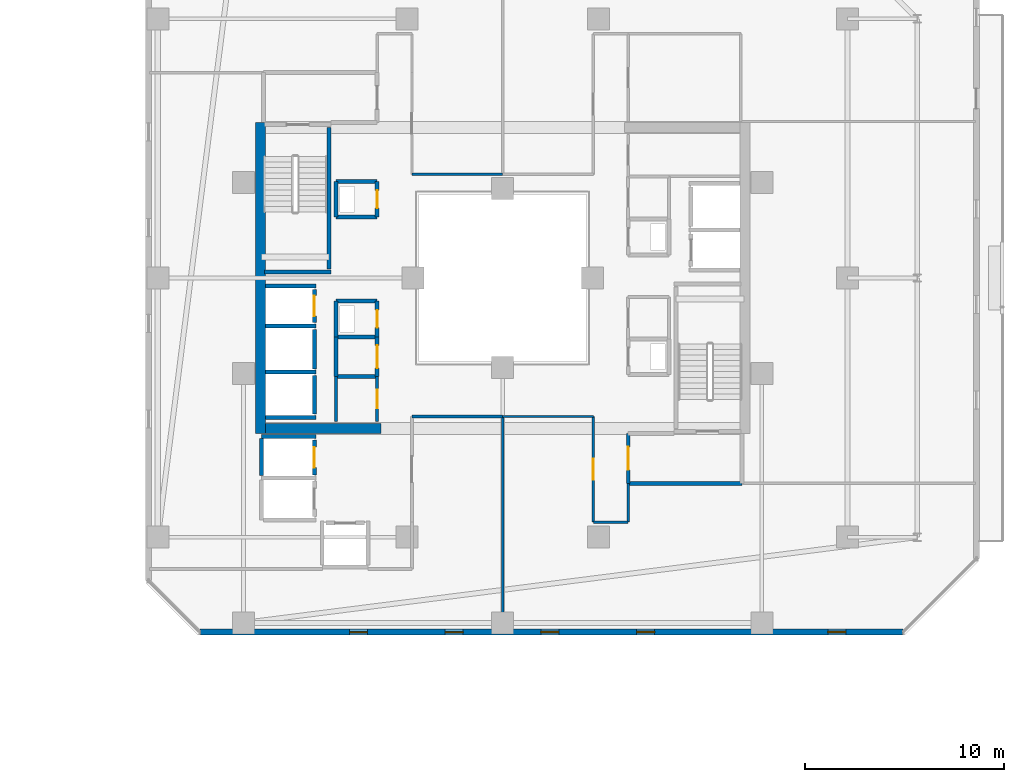
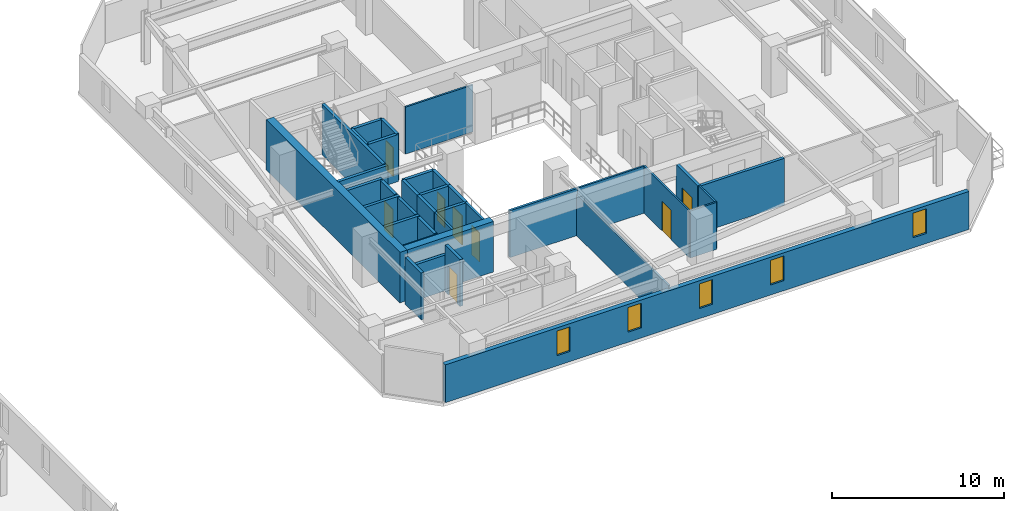
# One storey, part 23 of 32: 37 walls, 8 doors, 5 windows, 13 openings.
"""IFC4 building model written with IfcOpenShell, lengths in metres."""

from ifc_helpers import new_model, si_unit, direction, frame, frame_2d, origin, place, context, subcontext, project, spatial, rectangle, extrude, material, layer, layer_set, type_object, element, fill, save


model = new_model("IFC4")

# Units and contexts
model_context = context("Model", 3, precision=1e-05, world=origin(), true_north=direction((0.0, 1.0)))
body_context = subcontext(model_context, "Body", "Model", "MODEL_VIEW")
ifc_project = project(units=[si_unit("LENGTHUNIT", "METRE"), si_unit("AREAUNIT", "SQUARE_METRE"), si_unit("VOLUMEUNIT", "CUBIC_METRE"), si_unit("PLANEANGLEUNIT", "RADIAN"), si_unit("MASSUNIT", "GRAM", prefix="KILO")], contexts=[model_context])

# Site, building, storey
site_placement = place(None, origin())
site = spatial("IfcSite", under=ifc_project, at=site_placement, CompositionType="ELEMENT")
building_placement = place(site_placement, origin())
building = spatial("IfcBuilding", under=site, at=building_placement, Name="Thornwick Lancets Civic Towers", CompositionType="ELEMENT")
storey_placement = place(building_placement, frame((0.0, 0.0, 156.300048828125)))
storey = spatial("IfcBuildingStorey", under=building, at=storey_placement, Name="L41", CompositionType="ELEMENT", Elevation=156.300048828125)

# Wall, opening, door
ifc_material_1 = material(Name="Concrete blockwork C40/50", Category="masonry")
ifc_layer_1 = layer(ifc_material_1, 0.199951171875, Name="Concrete blockwork C40/50")
ifc_layer_set_1 = layer_set([ifc_layer_1], Name="Concrete blockwork C40/50")
wall_type_1 = type_object("IfcWallType", Name="WALL_COMP_200", PredefinedType="STANDARD", material=ifc_layer_set_1)
wall_1_placement = place(storey_placement, frame((79.050048828125, 24.780029296875, 0.0), z_axis=(0.0, 0.0, 1.0), x_axis=(0.0, 1.0, 0.0)))
wall_1 = element("IfcWall", 1, at=wall_1_placement, inside=storey, type_object=wall_type_1, Name="L41 Hoistway Front Wall FL-B2", PredefinedType="STANDARD", context=body_context, shape_type="SweptSolid", body=[
    extrude(rectangle(XDim=1.639892578125, YDim=0.199951171875, at=frame_2d((0.81982421875, 0.0))), origin(), (0.0, 0.0, 1.0), 3.33984375),
])
opening_1_placement = place(wall_1_placement, frame((0.31005859375, 0.0, 0.0)))
opening_1 = element("IfcOpeningElement", 2, at=opening_1_placement, cuts=wall_1, Name="Opening LD-FL-B2", PredefinedType="OPENING", context=body_context, shape_type="SweptSolid", body=[
    extrude(rectangle(XDim=1.02001953125, YDim=2.06005859375, at=frame_2d((0.510009765625, 1.030029296875))), frame((0.0, 0.10986328125, 0.0), z_axis=(0.0, -1.0, 0.0), x_axis=(1.0, 0.0, 0.0)), (0.0, 0.0, 1.0), 0.219970703125),
])
ifc_material_2 = material(Name="Brushed bronze stainless steel", Category="steel")
door_type_1 = type_object("IfcDoorType", Name="DOOR_LIFT_SLIDE", OperationType="SLIDING_TO_LEFT", PredefinedType="DOOR", material=ifc_material_2)
door_1_placement = place(opening_1_placement, origin())
door_1 = element("IfcDoor", 3, at=door_1_placement, inside=storey, type_object=door_type_1, Name="L41 Sliding Lift Landing Door LD-FL-B2", OperationType="SLIDING_TO_LEFT", OverallHeight=2.06005859375, OverallWidth=1.02001953125, PredefinedType="DOOR", context=body_context, shape_type="SweptSolid", body=[
    extrude(rectangle(XDim=1.02001953125, YDim=2.06005859375, at=frame_2d((0.510009765625, 1.030029296875))), frame((0.0, 0.02490234375, 0.0), z_axis=(0.0, -1.0, 0.0), x_axis=(1.0, 0.0, 0.0)), (0.0, 0.0, 1.0), 0.050048828125),
])
fill(opening_1, door_1)

# Walls
wall_2_placement = place(storey_placement, frame((79.050048828125, 22.429931640625, 0.0), z_axis=(0.0, 0.0, 1.0), x_axis=(0.0, 1.0, 0.0)))
element("IfcWall", 4, at=wall_2_placement, inside=storey, type_object=wall_type_1, Name="L41 Hoistway Front Wall PL-BH2", PredefinedType="STANDARD", context=body_context, shape_type="SweptSolid", body=[
    extrude(rectangle(XDim=1.989990234375, YDim=0.199951171875, at=frame_2d((0.9951171875, 0.0))), origin(), (0.0, 0.0, 1.0), 3.33984375),
])
wall_3_placement = place(storey_placement, frame((79.050048828125, 20.179931640625, 0.0), z_axis=(0.0, 0.0, 1.0), x_axis=(0.0, 1.0, 0.0)))
element("IfcWall", 5, at=wall_3_placement, inside=storey, type_object=wall_type_1, Name="L41 Hoistway Front Wall PL-BH3", PredefinedType="STANDARD", context=body_context, shape_type="SweptSolid", body=[
    extrude(rectangle(XDim=1.940185546875, YDim=0.199951171875, at=frame_2d((0.97021484375, 0.0))), origin(), (0.0, 0.0, 1.0), 3.33984375),
])

# Wall, opening, door
wall_4_placement = place(storey_placement, frame((79.050048828125, 17.1298828125, 0.0), z_axis=(0.0, 0.0, 1.0), x_axis=(0.0, 1.0, 0.0)))
wall_4 = element("IfcWall", 6, at=wall_4_placement, inside=storey, type_object=wall_type_1, Name="L41 Hoistway Front Wall PL-BM1", PredefinedType="STANDARD", context=body_context, shape_type="SweptSolid", body=[
    extrude(rectangle(XDim=1.740234375, YDim=0.199951171875, at=frame_2d((0.8701171875, 0.0))), origin(), (0.0, 0.0, 1.0), 3.33984375),
])
opening_2_placement = place(wall_4_placement, frame((0.360107421875, 0.0, 0.0)))
opening_2 = element("IfcOpeningElement", 7, at=opening_2_placement, cuts=wall_4, Name="Opening LD-PL-BM1", PredefinedType="OPENING", context=body_context, shape_type="SweptSolid", body=[
    extrude(rectangle(XDim=1.02001953125, YDim=2.06005859375, at=frame_2d((0.510009765625, 1.030029296875))), frame((0.0, 0.10986328125, 0.0), z_axis=(0.0, -1.0, 0.0), x_axis=(1.0, 0.0, 0.0)), (0.0, 0.0, 1.0), 0.219970703125),
])
door_2_placement = place(opening_2_placement, origin())
door_2 = element("IfcDoor", 8, at=door_2_placement, inside=storey, type_object=door_type_1, Name="L41 Sliding Lift Landing Door LD-PL-BM1", OperationType="SLIDING_TO_LEFT", OverallHeight=2.06005859375, OverallWidth=1.02001953125, PredefinedType="DOOR", context=body_context, shape_type="SweptSolid", body=[
    extrude(rectangle(XDim=1.02001953125, YDim=2.06005859375, at=frame_2d((0.510009765625, 1.030029296875))), frame((0.0, 0.02490234375, 0.0), z_axis=(0.0, -1.0, 0.0), x_axis=(1.0, 0.0, 0.0)), (0.0, 0.0, 1.0), 0.050048828125),
])
fill(opening_2, door_2)

# Walls
for number, where, z_axis, x_axis, name in (
    (9, (76.612060546875, 26.60009765625, 0.0), (0.0, 0.0, 1.0), (1.0, 0.0, 0.0), "L41 Hoistway Shaft Wall FL-B2 N"),
    (10, (76.612060546875, 24.60009765625, 0.0), (0.0, 0.0, 1.0), (1.0, 0.0, 0.0), "L41 Hoistway Shaft Wall FL-B2 S"),
    (11, (76.612060546875, 22.27490234375, 0.0), (0.0, 0.0, 1.0), (1.0, 0.0, 0.0), "L41 Hoistway Shaft Wall PL-BH2 S"),
    (12, (76.612060546875, 20.0, 0.0), (0.0, 0.0, 1.0), (1.0, 0.0, 0.0), "L41 Hoistway Shaft Wall PL-BH3 S"),
):
    element("IfcWall", number, at=place(storey_placement, frame(where, z_axis=z_axis, x_axis=x_axis)), inside=storey, type_object=wall_type_1, Name=name, PredefinedType="STANDARD", context=body_context, shape_type="SweptSolid", body=[
        extrude(rectangle(XDim=2.535888671875, YDim=0.199951171875, at=frame_2d((1.26806640625, 0.0))), origin(), (0.0, 0.0, 1.0), 3.33984375),
    ])
wall_5_placement = place(storey_placement, frame((76.402099609375, 19.050048828125, 0.0), z_axis=(0.0, 0.0, 1.0), x_axis=(1.0, 0.0, 0.0)))
element("IfcWall", 13, at=wall_5_placement, inside=storey, type_object=wall_type_1, Name="L41 Hoistway Shaft Wall PL-BM1 N", PredefinedType="STANDARD", context=body_context, shape_type="SweptSolid", body=[
    extrude(rectangle(XDim=2.745849609375, YDim=0.199951171875, at=frame_2d((1.373046875, 0.0))), origin(), (0.0, 0.0, 1.0), 2.544921875),
])
wall_6_placement = place(storey_placement, frame((76.39990234375, 17.08203125, 0.0), z_axis=(0.0, 0.0, 1.0), x_axis=(0.0, 1.0, 0.0)))
element("IfcWall", 14, at=wall_6_placement, inside=storey, type_object=wall_type_1, Name="L41 Hoistway Shaft Wall PL-BM1 W", PredefinedType="STANDARD", context=body_context, shape_type="SweptSolid", body=[
    extrude(rectangle(XDim=1.85595703125, YDim=0.199951171875, at=frame_2d((0.927978515625, 0.0))), origin(), (0.0, 0.0, 1.0), 3.33984375),
])
wall_7_placement = place(storey_placement, frame((94.800048828125, 16.699951171875, 0.0), z_axis=(0.0, 0.0, 1.0), x_axis=(1.0, 0.0, 0.0)))
element("IfcWall", 15, at=wall_7_placement, inside=storey, type_object=wall_type_1, Name="L41 Partition L41-B-FFLOB1 E1", PredefinedType="STANDARD", context=body_context, shape_type="SweptSolid", body=[
    extrude(rectangle(XDim=5.699951171875, YDim=0.199951171875, at=frame_2d((2.85009765625, 0.0))), origin(), (0.0, 0.0, 1.0), 3.33984375),
])

# Wall, opening, door
wall_8_placement = place(storey_placement, frame((94.800048828125, 19.199951171875, 0.0), z_axis=(0.0, 0.0, 1.0), x_axis=(0.0, -1.0, 0.0)))
wall_8 = element("IfcWall", 16, at=wall_8_placement, inside=storey, type_object=wall_type_1, Name="L41 Partition L41-B-FFLOB1 E4", PredefinedType="STANDARD", context=body_context, shape_type="SweptSolid", body=[
    extrude(rectangle(XDim=2.5, YDim=0.199951171875, at=frame_2d((1.25, 0.0))), origin(), (0.0, 0.0, 1.0), 3.33984375),
])
opening_3_placement = place(wall_8_placement, frame((0.675048828125, 0.0, 0.0)))
opening_3 = element("IfcOpeningElement", 17, at=opening_3_placement, cuts=wall_8, Name="Opening D-L41-1840", PredefinedType="OPENING", context=body_context, shape_type="SweptSolid", body=[
    extrude(rectangle(XDim=1.14990234375, YDim=2.10009765625, at=frame_2d((0.574951171875, 1.050048828125))), frame((0.0, 0.10986328125, 0.0), z_axis=(0.0, -1.0, 0.0), x_axis=(1.0, 0.0, 0.0)), (0.0, 0.0, 1.0), 0.219970703125),
])
ifc_material_3 = material(Name="Glazed fire-resisting steel", Category="steel")
door_type_2 = type_object("IfcDoorType", Name="DOOR_LOBBY_FD60", OperationType="NOTDEFINED", PredefinedType="DOOR", material=ifc_material_3)
door_3_placement = place(opening_3_placement, origin())
door_3 = element("IfcDoor", 18, at=door_3_placement, inside=storey, type_object=door_type_2, Name="L41 East Firefighting Lobby 1 Door", OperationType="SINGLE_SWING_LEFT", OverallHeight=2.10009765625, OverallWidth=1.14990234375, PredefinedType="DOOR", context=body_context, shape_type="SweptSolid", body=[
    extrude(rectangle(XDim=1.14990234375, YDim=2.10009765625, at=frame_2d((0.574951171875, 1.050048828125))), frame((0.0, 0.02490234375, 0.0), z_axis=(0.0, -1.0, 0.0), x_axis=(1.0, 0.0, 0.0)), (0.0, 0.0, 1.0), 0.050048828125),
])
fill(opening_3, door_3)

# Wall
wall_9_placement = place(storey_placement, frame((80.14990234375, 24.050048828125, 0.0), z_axis=(0.0, 0.0, 1.0), x_axis=(1.0, 0.0, 0.0)))
element("IfcWall", 19, at=wall_9_placement, inside=storey, type_object=wall_type_1, Name="L41 Partition L41-B-DUCT2 E1", PredefinedType="STANDARD", context=body_context, shape_type="SweptSolid", body=[
    extrude(rectangle(XDim=2.050048828125, YDim=0.199951171875, at=frame_2d((1.02490234375, 0.0))), origin(), (0.0, 0.0, 1.0), 3.33984375),
])

# Wall, opening, door
wall_10_placement = place(storey_placement, frame((82.199951171875, 24.050048828125, 0.0), z_axis=(0.0, 0.0, 1.0), x_axis=(0.0, 1.0, 0.0)))
wall_10 = element("IfcWall", 20, at=wall_10_placement, inside=storey, type_object=wall_type_1, Name="L41 Partition L41-B-DUCT2 E2", PredefinedType="STANDARD", context=body_context, shape_type="SweptSolid", body=[
    extrude(rectangle(XDim=1.800048828125, YDim=0.199951171875, at=frame_2d((0.89990234375, 0.0))), origin(), (0.0, 0.0, 1.0), 3.33984375),
])
opening_4_placement = place(wall_10_placement, frame((0.4599609375, 0.0, 0.0)))
opening_4 = element("IfcOpeningElement", 21, at=opening_4_placement, cuts=wall_10, Name="Opening D-L41-1844", PredefinedType="OPENING", context=body_context, shape_type="SweptSolid", body=[
    extrude(rectangle(XDim=0.8798828125, YDim=2.0400390625, at=frame_2d((0.43994140625, 1.02001953125))), frame((0.0, 0.10986328125, 0.0), z_axis=(0.0, -1.0, 0.0), x_axis=(1.0, 0.0, 0.0)), (0.0, 0.0, 1.0), 0.219970703125),
])
ifc_material_4 = material(Name="Steel riser access doorset", Category="steel")
door_type_3 = type_object("IfcDoorType", Name="DOOR_RISER_850", OperationType="NOTDEFINED", PredefinedType="DOOR", material=ifc_material_4)
door_4_placement = place(opening_4_placement, origin())
door_4 = element("IfcDoor", 22, at=door_4_placement, inside=storey, type_object=door_type_3, Name="L41 West Service Duct 2 Door", OperationType="SINGLE_SWING_LEFT", OverallHeight=2.0400390625, OverallWidth=0.8798828125, PredefinedType="DOOR", context=body_context, shape_type="SweptSolid", body=[
    extrude(rectangle(XDim=0.8798828125, YDim=2.0400390625, at=frame_2d((0.43994140625, 1.02001953125))), frame((0.0, 0.02490234375, 0.0), z_axis=(0.0, -1.0, 0.0), x_axis=(1.0, 0.0, 0.0)), (0.0, 0.0, 1.0), 0.050048828125),
])
fill(opening_4, door_4)

# Walls
wall_11_placement = place(storey_placement, frame((82.199951171875, 25.85009765625, 0.0), z_axis=(0.0, 0.0, 1.0), x_axis=(-1.0, 0.0, 0.0)))
element("IfcWall", 23, at=wall_11_placement, inside=storey, type_object=wall_type_1, Name="L41 Partition L41-B-DUCT2 E3", PredefinedType="STANDARD", context=body_context, shape_type="SweptSolid", body=[
    extrude(rectangle(XDim=2.050048828125, YDim=0.199951171875, at=frame_2d((1.02490234375, 0.0))), origin(), (0.0, 0.0, 1.0), 3.33984375),
])
wall_12_placement = place(storey_placement, frame((80.14990234375, 25.85009765625, 0.0), z_axis=(0.0, 0.0, 1.0), x_axis=(0.0, -1.0, 0.0)))
element("IfcWall", 24, at=wall_12_placement, inside=storey, type_object=wall_type_1, Name="L41 Partition L41-B-DUCT2 E4", PredefinedType="STANDARD", context=body_context, shape_type="SweptSolid", body=[
    extrude(rectangle(XDim=1.800048828125, YDim=0.199951171875, at=frame_2d((0.89990234375, 0.0))), origin(), (0.0, 0.0, 1.0), 3.33984375),
])
wall_13_placement = place(storey_placement, frame((80.14990234375, 30.050048828125, 0.0), z_axis=(0.0, 0.0, 1.0), x_axis=(1.0, 0.0, 0.0)))
element("IfcWall", 25, at=wall_13_placement, inside=storey, type_object=wall_type_1, Name="L41 Partition L41-B-RISER2 E1", PredefinedType="STANDARD", context=body_context, shape_type="SweptSolid", body=[
    extrude(rectangle(XDim=2.050048828125, YDim=0.199951171875, at=frame_2d((1.02490234375, 0.0))), origin(), (0.0, 0.0, 1.0), 3.33984375),
])

# Wall, opening, door
wall_14_placement = place(storey_placement, frame((82.199951171875, 30.050048828125, 0.0), z_axis=(0.0, 0.0, 1.0), x_axis=(0.0, 1.0, 0.0)))
wall_14 = element("IfcWall", 26, at=wall_14_placement, inside=storey, type_object=wall_type_1, Name="L41 Partition L41-B-RISER2 E2", PredefinedType="STANDARD", context=body_context, shape_type="SweptSolid", body=[
    extrude(rectangle(XDim=1.800048828125, YDim=0.199951171875, at=frame_2d((0.89990234375, 0.0))), origin(), (0.0, 0.0, 1.0), 3.33984375),
])
opening_5_placement = place(wall_14_placement, frame((0.4599609375, 0.0, 0.0)))
opening_5 = element("IfcOpeningElement", 27, at=opening_5_placement, cuts=wall_14, Name="Opening D-L41-1845", PredefinedType="OPENING", context=body_context, shape_type="SweptSolid", body=[
    extrude(rectangle(XDim=0.8798828125, YDim=2.0400390625, at=frame_2d((0.43994140625, 1.02001953125))), frame((0.0, 0.10986328125, 0.0), z_axis=(0.0, -1.0, 0.0), x_axis=(1.0, 0.0, 0.0)), (0.0, 0.0, 1.0), 0.219970703125),
])
door_5_placement = place(opening_5_placement, origin())
door_5 = element("IfcDoor", 28, at=door_5_placement, inside=storey, type_object=door_type_3, Name="L41 West Service Riser 2 Door", OperationType="SINGLE_SWING_RIGHT", OverallHeight=2.0400390625, OverallWidth=0.8798828125, PredefinedType="DOOR", context=body_context, shape_type="SweptSolid", body=[
    extrude(rectangle(XDim=0.8798828125, YDim=2.0400390625, at=frame_2d((0.43994140625, 1.02001953125))), frame((0.0, 0.02490234375, 0.0), z_axis=(0.0, -1.0, 0.0), x_axis=(1.0, 0.0, 0.0)), (0.0, 0.0, 1.0), 0.050048828125),
])
fill(opening_5, door_5)

# Walls
wall_15_placement = place(storey_placement, frame((82.199951171875, 31.85009765625, 0.0), z_axis=(0.0, 0.0, 1.0), x_axis=(-1.0, 0.0, 0.0)))
element("IfcWall", 29, at=wall_15_placement, inside=storey, type_object=wall_type_1, Name="L41 Partition L41-B-RISER2 E3", PredefinedType="STANDARD", context=body_context, shape_type="SweptSolid", body=[
    extrude(rectangle(XDim=2.050048828125, YDim=0.199951171875, at=frame_2d((1.02490234375, 0.0))), origin(), (0.0, 0.0, 1.0), 3.33984375),
])
wall_16_placement = place(storey_placement, frame((80.14990234375, 31.85009765625, 0.0), z_axis=(0.0, 0.0, 1.0), x_axis=(0.0, -1.0, 0.0)))
element("IfcWall", 30, at=wall_16_placement, inside=storey, type_object=wall_type_1, Name="L41 Partition L41-B-RISER2 E4", PredefinedType="STANDARD", context=body_context, shape_type="SweptSolid", body=[
    extrude(rectangle(XDim=1.800048828125, YDim=0.199951171875, at=frame_2d((0.89990234375, 0.0))), origin(), (0.0, 0.0, 1.0), 3.33984375),
])
wall_17_placement = place(storey_placement, frame((80.14990234375, 22.050048828125, 0.0), z_axis=(0.0, 0.0, 1.0), x_axis=(0.0, 1.0, 0.0)))
element("IfcWall", 31, at=wall_17_placement, inside=storey, type_object=wall_type_1, Name="L41 Partition L41-B-STR E1", PredefinedType="STANDARD", context=body_context, shape_type="SweptSolid", body=[
    extrude(rectangle(XDim=2.0, YDim=0.199951171875, at=frame_2d((1.0, 0.0))), origin(), (0.0, 0.0, 1.0), 3.33984375),
])

# Wall, opening, door
wall_18_placement = place(storey_placement, frame((82.199951171875, 24.050048828125, 0.0), z_axis=(0.0, 0.0, 1.0), x_axis=(0.0, -1.0, 0.0)))
wall_18 = element("IfcWall", 32, at=wall_18_placement, inside=storey, type_object=wall_type_1, Name="L41 Partition L41-B-STR E3", PredefinedType="STANDARD", context=body_context, shape_type="SweptSolid", body=[
    extrude(rectangle(XDim=2.0, YDim=0.199951171875, at=frame_2d((1.0, 0.0))), origin(), (0.0, 0.0, 1.0), 3.33984375),
])
opening_6_placement = place(wall_18_placement, frame((0.425048828125, 0.0, 0.0)))
opening_6 = element("IfcOpeningElement", 33, at=opening_6_placement, cuts=wall_18, Name="Opening D-L41-1850", PredefinedType="OPENING", context=body_context, shape_type="SweptSolid", body=[
    extrude(rectangle(XDim=1.14990234375, YDim=2.10009765625, at=frame_2d((0.574951171875, 1.050048828125))), frame((0.0, 0.10986328125, 0.0), z_axis=(0.0, -1.0, 0.0), x_axis=(1.0, 0.0, 0.0)), (0.0, 0.0, 1.0), 0.219970703125),
])
door_6_placement = place(opening_6_placement, origin())
door_6 = element("IfcDoor", 34, at=door_6_placement, inside=storey, type_object=door_type_2, Name="L41 Tower B Core Records Store Door", OperationType="SINGLE_SWING_LEFT", OverallHeight=2.10009765625, OverallWidth=1.14990234375, PredefinedType="DOOR", context=body_context, shape_type="SweptSolid", body=[
    extrude(rectangle(XDim=1.14990234375, YDim=2.10009765625, at=frame_2d((0.574951171875, 1.050048828125))), frame((0.0, 0.02490234375, 0.0), z_axis=(0.0, -1.0, 0.0), x_axis=(1.0, 0.0, 0.0)), (0.0, 0.0, 1.0), 0.050048828125),
])
fill(opening_6, door_6)

# Walls
wall_19_placement = place(storey_placement, frame((82.199951171875, 22.050048828125, 0.0), z_axis=(0.0, 0.0, 1.0), x_axis=(-1.0, 0.0, 0.0)))
element("IfcWall", 35, at=wall_19_placement, inside=storey, type_object=wall_type_1, Name="L41 Partition L41-B-STR E4", PredefinedType="STANDARD", context=body_context, shape_type="SweptSolid", body=[
    extrude(rectangle(XDim=2.050048828125, YDim=0.199951171875, at=frame_2d((1.02490234375, 0.0))), origin(), (0.0, 0.0, 1.0), 3.33984375),
])
ifc_material_5 = material(Name="Concrete C50/60", Category="concrete")
ifc_layer_2 = layer(ifc_material_5, 0.5, Name="Concrete C50/60")
ifc_layer_set_2 = layer_set([ifc_layer_2], Name="Concrete C50/60")
wall_type_2 = type_object("IfcWallType", Name="WALL_CORE_500", PredefinedType="SHEAR", material=ifc_layer_set_2)
wall_20_placement = place(storey_placement, frame((76.35009765625, 19.199951171875, 0.0), z_axis=(0.0, 0.0, 1.0), x_axis=(0.0, 1.0, 0.0)))
element("IfcWall", 36, at=wall_20_placement, inside=storey, type_object=wall_type_2, Name="L41 Split Core B2 Shear Wall W", PredefinedType="SHEAR", context=body_context, shape_type="SweptSolid", body=[
    extrude(rectangle(XDim=15.60009765625, YDim=0.5, at=frame_2d((7.800048828125, 0.0))), origin(), (0.0, 0.0, 1.0), 3.599853515625),
])
wall_21_placement = place(storey_placement, frame((76.60009765625, 19.449951171875, 0.0), z_axis=(0.0, 0.0, 1.0), x_axis=(1.0, 0.0, 0.0)))
element("IfcWall", 37, at=wall_21_placement, inside=storey, type_object=wall_type_2, Name="L41 Split Core B2 Shear Wall S", PredefinedType="SHEAR", context=body_context, shape_type="SweptSolid", body=[
    extrude(rectangle(XDim=5.7998046875, YDim=0.5, at=frame_2d((2.89990234375, 0.0))), origin(), (0.0, 0.0, 1.0), 3.599853515625),
])

# Wall, openings, windows
ifc_material_6 = material(Name="Insulated russet terracotta rainscreen on concrete C40/50", Category="masonry")
ifc_layer_3 = layer(ifc_material_6, 0.300048828125, Name="Insulated russet terracotta rainscreen on concrete C40/50")
ifc_layer_set_3 = layer_set([ifc_layer_3], Name="Insulated russet terracotta rainscreen on concrete C40/50")
wall_type_3 = type_object("IfcWallType", Name="WALL_EXT_RUSSET_300", PredefinedType="STANDARD", material=ifc_layer_set_3)
wall_22_placement = place(storey_placement, frame((73.318603515625, 9.2353515625, 0.0), z_axis=(0.0, 0.0, 1.0), x_axis=(0.999999994606, 0.000103863011, 0.0)))
wall_22 = element("IfcWall", 38, at=wall_22_placement, inside=storey, type_object=wall_type_3, Name="L41 Tower B Terracotta Facade Wall E0", PredefinedType="STANDARD", context=body_context, shape_type="SweptSolid", body=[
    extrude(rectangle(XDim=35.259033203125, YDim=0.300048828125, at=frame_2d((17.62939453125, 0.0))), origin(), (0.0, 0.0, 1.0), 2.699951171875),
])
opening_7_placement = place(wall_22_placement, frame((7.5, 0.0, 0.719970703125)))
opening_7 = element("IfcOpeningElement", 39, at=opening_7_placement, cuts=wall_22, Name="Opening WL-01", PredefinedType="OPENING", context=body_context, shape_type="SweptSolid", body=[
    extrude(rectangle(XDim=0.89990234375, YDim=1.75, at=frame_2d((0.449951171875, 0.875))), frame((0.0, 0.16015625, 0.0), z_axis=(0.0, -1.0, 0.0), x_axis=(1.0, 0.0, 0.0)), (0.0, 0.0, 1.0), 0.320068359375),
])
opening_8_placement = place(wall_22_placement, frame((12.300048828125, 0.0, 0.719970703125)))
opening_8 = element("IfcOpeningElement", 40, at=opening_8_placement, cuts=wall_22, Name="Opening WL-01", PredefinedType="OPENING", context=body_context, shape_type="SweptSolid", body=[
    extrude(rectangle(XDim=0.89990234375, YDim=1.75, at=frame_2d((0.449951171875, 0.875))), frame((0.0, 0.16015625, 0.0), z_axis=(0.0, -1.0, 0.0), x_axis=(1.0, 0.0, 0.0)), (0.0, 0.0, 1.0), 0.320068359375),
])
opening_9_placement = place(wall_22_placement, frame((17.10009765625, 0.0, 0.719970703125)))
opening_9 = element("IfcOpeningElement", 41, at=opening_9_placement, cuts=wall_22, Name="Opening WL-01", PredefinedType="OPENING", context=body_context, shape_type="SweptSolid", body=[
    extrude(rectangle(XDim=0.89990234375, YDim=1.75, at=frame_2d((0.449951171875, 0.875))), frame((0.0, 0.16015625, 0.0), z_axis=(0.0, -1.0, 0.0), x_axis=(1.0, 0.0, 0.0)), (0.0, 0.0, 1.0), 0.320068359375),
])
opening_10_placement = place(wall_22_placement, frame((21.89990234375, 0.0, 0.719970703125)))
opening_10 = element("IfcOpeningElement", 42, at=opening_10_placement, cuts=wall_22, Name="Opening WL-01", PredefinedType="OPENING", context=body_context, shape_type="SweptSolid", body=[
    extrude(rectangle(XDim=0.89990234375, YDim=1.75, at=frame_2d((0.449951171875, 0.875))), frame((0.0, 0.16015625, 0.0), z_axis=(0.0, -1.0, 0.0), x_axis=(1.0, 0.0, 0.0)), (0.0, 0.0, 1.0), 0.320068359375),
])
opening_11_placement = place(wall_22_placement, frame((31.5, 0.0, 0.719970703125)))
opening_11 = element("IfcOpeningElement", 43, at=opening_11_placement, cuts=wall_22, Name="Opening WL-01", PredefinedType="OPENING", context=body_context, shape_type="SweptSolid", body=[
    extrude(rectangle(XDim=0.89990234375, YDim=1.75, at=frame_2d((0.449951171875, 0.875))), frame((0.0, 0.16015625, 0.0), z_axis=(0.0, -1.0, 0.0), x_axis=(1.0, 0.0, 0.0)), (0.0, 0.0, 1.0), 0.320068359375),
])
ifc_material_7 = material(Name="Clear low-e double glazing in bronze frame", Category="glass")
window_type = type_object("IfcWindowType", Name="WIN_LANCET_900", PartitioningType="SINGLE_PANEL", PredefinedType="WINDOW", material=ifc_material_7)
window_1_placement = place(opening_7_placement, origin())
window_1 = element("IfcWindow", 44, at=window_1_placement, inside=storey, type_object=window_type, Name="L41 Tower B Staggered Lancet Window E0-1", OverallHeight=1.75, OverallWidth=0.89990234375, PartitioningType="SINGLE_PANEL", PredefinedType="WINDOW", context=body_context, shape_type="SweptSolid", body=[
    extrude(rectangle(XDim=0.89990234375, YDim=1.75, at=frame_2d((0.449951171875, 0.875))), frame((0.0, 0.030029296875, 0.0), z_axis=(0.0, -1.0, 0.0), x_axis=(1.0, 0.0, 0.0)), (0.0, 0.0, 1.0), 0.06005859375),
])
fill(opening_7, window_1)
window_2_placement = place(opening_8_placement, origin())
window_2 = element("IfcWindow", 45, at=window_2_placement, inside=storey, type_object=window_type, Name="L41 Tower B Staggered Lancet Window E0-2", OverallHeight=1.75, OverallWidth=0.89990234375, PartitioningType="SINGLE_PANEL", PredefinedType="WINDOW", context=body_context, shape_type="SweptSolid", body=[
    extrude(rectangle(XDim=0.89990234375, YDim=1.75, at=frame_2d((0.449951171875, 0.875))), frame((0.0, 0.030029296875, 0.0), z_axis=(0.0, -1.0, 0.0), x_axis=(1.0, 0.0, 0.0)), (0.0, 0.0, 1.0), 0.06005859375),
])
fill(opening_8, window_2)
window_3_placement = place(opening_9_placement, origin())
window_3 = element("IfcWindow", 46, at=window_3_placement, inside=storey, type_object=window_type, Name="L41 Tower B Staggered Lancet Window E0-3", OverallHeight=1.75, OverallWidth=0.89990234375, PartitioningType="SINGLE_PANEL", PredefinedType="WINDOW", context=body_context, shape_type="SweptSolid", body=[
    extrude(rectangle(XDim=0.89990234375, YDim=1.75, at=frame_2d((0.449951171875, 0.875))), frame((0.0, 0.030029296875, 0.0), z_axis=(0.0, -1.0, 0.0), x_axis=(1.0, 0.0, 0.0)), (0.0, 0.0, 1.0), 0.06005859375),
])
fill(opening_9, window_3)
window_4_placement = place(opening_10_placement, origin())
window_4 = element("IfcWindow", 47, at=window_4_placement, inside=storey, type_object=window_type, Name="L41 Tower B Staggered Lancet Window E0-4", OverallHeight=1.75, OverallWidth=0.89990234375, PartitioningType="SINGLE_PANEL", PredefinedType="WINDOW", context=body_context, shape_type="SweptSolid", body=[
    extrude(rectangle(XDim=0.89990234375, YDim=1.75, at=frame_2d((0.449951171875, 0.875))), frame((0.0, 0.030029296875, 0.0), z_axis=(0.0, -1.0, 0.0), x_axis=(1.0, 0.0, 0.0)), (0.0, 0.0, 1.0), 0.06005859375),
])
fill(opening_10, window_4)
window_5_placement = place(opening_11_placement, origin())
window_5 = element("IfcWindow", 48, at=window_5_placement, inside=storey, type_object=window_type, Name="L41 Tower B Staggered Lancet Window E0-5", OverallHeight=1.75, OverallWidth=0.89990234375, PartitioningType="SINGLE_PANEL", PredefinedType="WINDOW", context=body_context, shape_type="SweptSolid", body=[
    extrude(rectangle(XDim=0.89990234375, YDim=1.75, at=frame_2d((0.449951171875, 0.875))), frame((0.0, 0.030029296875, 0.0), z_axis=(0.0, -1.0, 0.0), x_axis=(1.0, 0.0, 0.0)), (0.0, 0.0, 1.0), 0.06005859375),
])
fill(opening_11, window_5)

# Walls
ifc_material_8 = material(Name="Acoustic gypsum board partition")
ifc_layer_4 = layer(ifc_material_8, 0.1201171875, Name="Acoustic gypsum board partition")
ifc_layer_set_4 = layer_set([ifc_layer_4], Name="Acoustic gypsum board partition")
wall_type_4 = type_object("IfcWallType", Name="WALL_PART_120", PredefinedType="PARTITIONING", material=ifc_layer_set_4)
wall_23_placement = place(storey_placement, frame((88.5, 9.280029296875, 0.0), z_axis=(0.0, 0.0, 1.0), x_axis=(0.0, 1.0, 0.0)))
element("IfcWall", 49, at=wall_23_placement, inside=storey, type_object=wall_type_4, Name="L41 Partition L41-B-W1 E2", PredefinedType="PARTITIONING", context=body_context, shape_type="SweptSolid", body=[
    extrude(rectangle(XDim=10.77001953125, YDim=0.1201171875, at=frame_2d((5.385009765625, 0.0))), origin(), (0.0, 0.0, 1.0), 2.93212890625),
])
wall_24_placement = place(storey_placement, frame((88.5, 20.050048828125, 0.0), z_axis=(0.0, 0.0, 1.0), x_axis=(1.0, 0.0, 0.0)))
element("IfcWall", 50, at=wall_24_placement, inside=storey, type_object=wall_type_4, Name="L41 Partition L41-B-W1 E3", PredefinedType="PARTITIONING", context=body_context, shape_type="SweptSolid", body=[
    extrude(rectangle(XDim=4.550048828125, YDim=0.1201171875, at=frame_2d((2.27490234375, 0.0))), origin(), (0.0, 0.0, 1.0), 3.33984375),
])

# Wall, opening, door
wall_25_placement = place(storey_placement, frame((93.050048828125, 20.050048828125, 0.0), z_axis=(0.0, 0.0, 1.0), x_axis=(0.0, -1.0, 0.0)))
wall_25 = element("IfcWall", 51, at=wall_25_placement, inside=storey, type_object=wall_type_4, Name="L41 Partition L41-B-W1 E4", PredefinedType="PARTITIONING", context=body_context, shape_type="SweptSolid", body=[
    extrude(rectangle(XDim=5.300048828125, YDim=0.1201171875, at=frame_2d((2.64990234375, 0.0))), origin(), (0.0, 0.0, 1.0), 3.33984375),
])
opening_12_placement = place(wall_25_placement, frame((2.125, 0.0, 0.0)))
opening_12 = element("IfcOpeningElement", 52, at=opening_12_placement, cuts=wall_25, Name="Opening D-L41-1857", PredefinedType="OPENING", context=body_context, shape_type="SweptSolid", body=[
    extrude(rectangle(XDim=1.050048828125, YDim=2.10009765625, at=frame_2d((0.52490234375, 1.050048828125))), frame((0.0, 0.070068359375, 0.0), z_axis=(0.0, -1.0, 0.0), x_axis=(1.0, 0.0, 0.0)), (0.0, 0.0, 1.0), 0.14013671875),
])
ifc_material_9 = material(Name="Glazed European oak executive doorset")
door_type_4 = type_object("IfcDoorType", Name="DOOR_OFFICE_1050", OperationType="NOTDEFINED", PredefinedType="DOOR", material=ifc_material_9)
door_7_placement = place(opening_12_placement, origin())
door_7 = element("IfcDoor", 53, at=door_7_placement, inside=storey, type_object=door_type_4, Name="L41 Tower B Ministry Directorate Office W1 Door", OperationType="SINGLE_SWING_RIGHT", OverallHeight=2.10009765625, OverallWidth=1.050048828125, PredefinedType="DOOR", context=body_context, shape_type="SweptSolid", body=[
    extrude(rectangle(XDim=1.050048828125, YDim=2.10009765625, at=frame_2d((0.52490234375, 1.050048828125))), frame((0.0, 0.02490234375, 0.0), z_axis=(0.0, -1.0, 0.0), x_axis=(1.0, 0.0, 0.0)), (0.0, 0.0, 1.0), 0.050048828125),
])
fill(opening_12, door_7)

# Walls
wall_26_placement = place(storey_placement, frame((93.050048828125, 14.75, 0.0), z_axis=(0.0, 0.0, 1.0), x_axis=(1.0, 0.0, 0.0)))
element("IfcWall", 54, at=wall_26_placement, inside=storey, type_object=wall_type_4, Name="L41 Partition L41-B-W1 E5", PredefinedType="PARTITIONING", context=body_context, shape_type="SweptSolid", body=[
    extrude(rectangle(XDim=1.75, YDim=0.1201171875, at=frame_2d((0.875, 0.0))), origin(), (0.0, 0.0, 1.0), 3.33984375),
])
wall_27_placement = place(storey_placement, frame((94.800048828125, 14.75, 0.0), z_axis=(0.0, 0.0, 1.0), x_axis=(0.0, 1.0, 0.0)))
element("IfcWall", 55, at=wall_27_placement, inside=storey, type_object=wall_type_4, Name="L41 Partition L41-B-W1 E6", PredefinedType="PARTITIONING", context=body_context, shape_type="SweptSolid", body=[
    extrude(rectangle(XDim=1.949951171875, YDim=0.1201171875, at=frame_2d((0.97509765625, 0.0))), origin(), (0.0, 0.0, 1.0), 3.33984375),
])
wall_28_placement = place(storey_placement, frame((88.5, 32.199951171875, 0.0), z_axis=(0.0, 0.0, 1.0), x_axis=(-1.0, 0.0, 0.0)))
element("IfcWall", 56, at=wall_28_placement, inside=storey, type_object=wall_type_4, Name="L41 Partition L41-B-E3 E11", PredefinedType="PARTITIONING", context=body_context, shape_type="SweptSolid", body=[
    extrude(rectangle(XDim=4.550048828125, YDim=0.1201171875, at=frame_2d((2.27490234375, 0.0))), origin(), (0.0, 0.0, 1.0), 3.33984375),
])

# Wall, opening, door
ifc_material_10 = material(Name="Twin-stud acoustic gypsum board")
ifc_layer_5 = layer(ifc_material_10, 0.14990234375, Name="Twin-stud acoustic gypsum board")
ifc_layer_set_5 = layer_set([ifc_layer_5], Name="Twin-stud acoustic gypsum board")
wall_type_5 = type_object("IfcWallType", Name="WALL_PART_150", PredefinedType="PARTITIONING", material=ifc_layer_set_5)
wall_29_placement = place(storey_placement, frame((82.199951171875, 19.800048828125, 0.0), z_axis=(0.0, 0.0, 1.0), x_axis=(0.0, 1.0, 0.0)))
wall_29 = element("IfcWall", 57, at=wall_29_placement, inside=storey, type_object=wall_type_5, Name="L41 Partition L41-B-AWC E2", PredefinedType="PARTITIONING", context=body_context, shape_type="SweptSolid", body=[
    extrude(rectangle(XDim=2.25, YDim=0.14990234375, at=frame_2d((1.125, 0.0))), origin(), (0.0, 0.0, 1.0), 3.33984375),
])
opening_13_placement = place(wall_29_placement, frame((0.6650390625, 0.0, 0.0)))
opening_13 = element("IfcOpeningElement", 58, at=opening_13_placement, cuts=wall_29, Name="Opening D-L41-1849", PredefinedType="OPENING", context=body_context, shape_type="SweptSolid", body=[
    extrude(rectangle(XDim=0.919921875, YDim=2.080078125, at=frame_2d((0.4599609375, 1.0400390625))), frame((0.0, 0.0849609375, 0.0), z_axis=(0.0, -1.0, 0.0), x_axis=(1.0, 0.0, 0.0)), (0.0, 0.0, 1.0), 0.169921875),
])
ifc_material_11 = material(Name="Moisture-resistant oak doorset")
door_type_5 = type_object("IfcDoorType", Name="DOOR_WC_900", OperationType="NOTDEFINED", PredefinedType="DOOR", material=ifc_material_11)
door_8_placement = place(opening_13_placement, origin())
door_8 = element("IfcDoor", 59, at=door_8_placement, inside=storey, type_object=door_type_5, Name="L41 Tower B Accessible WC Door", OperationType="SINGLE_SWING_RIGHT", OverallHeight=2.080078125, OverallWidth=0.919921875, PredefinedType="DOOR", context=body_context, shape_type="SweptSolid", body=[
    extrude(rectangle(XDim=0.919921875, YDim=2.080078125, at=frame_2d((0.4599609375, 1.0400390625))), frame((0.0, 0.02490234375, 0.0), z_axis=(0.0, -1.0, 0.0), x_axis=(1.0, 0.0, 0.0)), (0.0, 0.0, 1.0), 0.050048828125),
])
fill(opening_13, door_8)

# Walls
wall_30_placement = place(storey_placement, frame((80.14990234375, 22.050048828125, 0.0), z_axis=(0.0, 0.0, 1.0), x_axis=(0.0, -1.0, 0.0)))
element("IfcWall", 60, at=wall_30_placement, inside=storey, type_object=wall_type_5, Name="L41 Partition L41-B-AWC E4", PredefinedType="PARTITIONING", context=body_context, shape_type="SweptSolid", body=[
    extrude(rectangle(XDim=2.25, YDim=0.14990234375, at=frame_2d((1.125, 0.0))), origin(), (0.0, 0.0, 1.0), 3.33984375),
])
wall_31_placement = place(storey_placement, frame((83.949951171875, 20.050048828125, 0.0), z_axis=(0.0, 0.0, 1.0), x_axis=(1.0, 0.0, 0.0)))
element("IfcWall", 61, at=wall_31_placement, inside=storey, type_object=wall_type_5, Name="L41 Partition L41-B-W2 E2", PredefinedType="PARTITIONING", context=body_context, shape_type="SweptSolid", body=[
    extrude(rectangle(XDim=4.550048828125, YDim=0.14990234375, at=frame_2d((2.27490234375, 0.0))), origin(), (0.0, 0.0, 1.0), 3.33984375),
])
ifc_material_12 = material(Name="Concrete C40/50", Category="concrete")
ifc_layer_6 = layer(ifc_material_12, 0.199951171875, Name="Concrete C40/50")
ifc_layer_set_6 = layer_set([ifc_layer_6], Name="Concrete C40/50")
wall_type_6 = type_object("IfcWallType", Name="WALL_SHAFT_200", PredefinedType="SHEAR", material=ifc_layer_set_6)
wall_32_placement = place(storey_placement, frame((79.89990234375, 27.300048828125, 0.0), z_axis=(0.0, 0.0, 1.0), x_axis=(-1.0, 0.0, 0.0)))
element("IfcWall", 62, at=wall_32_placement, inside=storey, type_object=wall_type_6, Name="L41 ST-B2 Fire Stair Core Wall FAR", PredefinedType="SHEAR", context=body_context, shape_type="SweptSolid", body=[
    extrude(rectangle(XDim=3.349853515625, YDim=0.199951171875, at=frame_2d((1.6748046875, 0.0))), origin(), (0.0, 0.0, 1.0), 3.599853515625),
])
wall_33_placement = place(storey_placement, frame((79.797119140625, 27.449951171875, 0.0), z_axis=(0.0, 0.0, 1.0), x_axis=(0.0, 1.0, 0.0)))
element("IfcWall", 63, at=wall_33_placement, inside=storey, type_object=wall_type_6, Name="L41 ST-B2 Fire Stair Core Wall RIGHT", PredefinedType="SHEAR", context=body_context, shape_type="SweptSolid", body=[
    extrude(rectangle(XDim=7.10009765625, YDim=0.199951171875, at=frame_2d((3.550048828125, 0.0))), origin(), (0.0, 0.0, 1.0), 3.599853515625),
])

save(model, "model.ifc")
